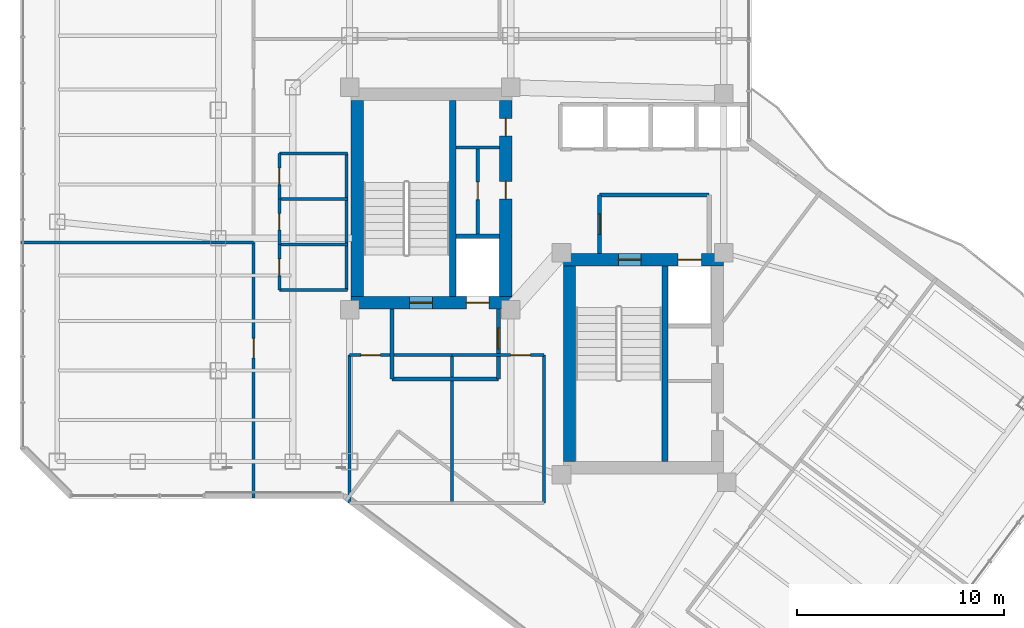
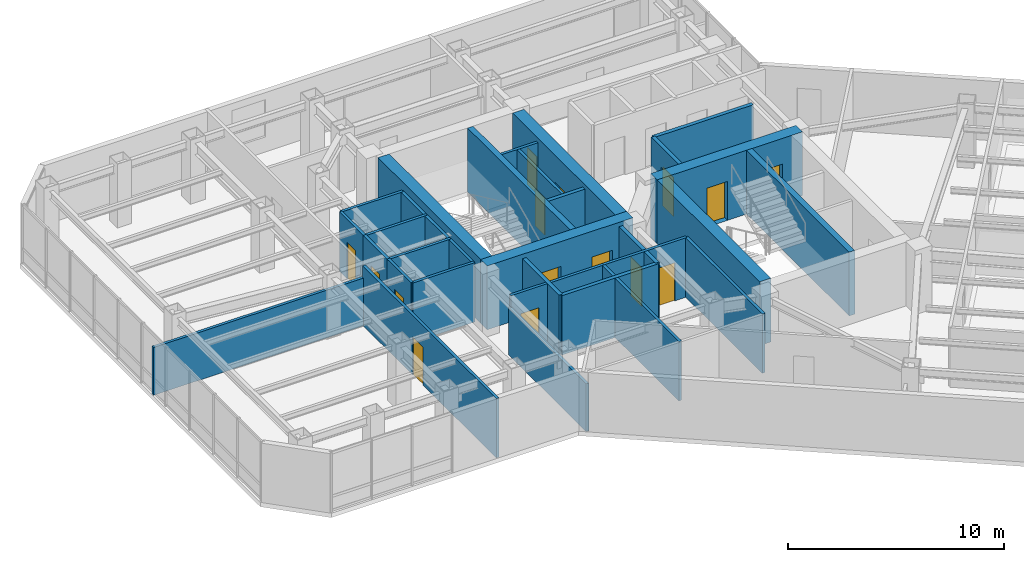
# One storey, part 22 of 27: 30 walls, 15 doors, 15 openings.
"""IFC4 building model written with IfcOpenShell, lengths in metres."""

from ifc_helpers import new_model, si_unit, direction, frame, frame_2d, origin, place, context, subcontext, project, spatial, rectangle, extrude, material, layer, layer_set, type_object, element, fill, save


model = new_model("IFC4")

# Units and contexts
model_context = context("Model", 3, precision=1e-05, world=origin(), true_north=direction((0.0, 1.0)))
body_context = subcontext(model_context, "Body", "Model", "MODEL_VIEW")
ifc_project = project(units=[si_unit("LENGTHUNIT", "METRE"), si_unit("AREAUNIT", "SQUARE_METRE"), si_unit("VOLUMEUNIT", "CUBIC_METRE"), si_unit("PLANEANGLEUNIT", "RADIAN"), si_unit("MASSUNIT", "GRAM", prefix="KILO")], contexts=[model_context])

# Site, building, storey
site_placement = place(None, origin())
site = spatial("IfcSite", under=ifc_project, at=site_placement, CompositionType="ELEMENT")
building_placement = place(site_placement, origin())
building = spatial("IfcBuilding", under=site, at=building_placement, Name="Hatsunagi Terrace Concourse", CompositionType="ELEMENT")
storey_placement = place(building_placement, frame((0.0, 0.0, 174.449951171875)))
storey = spatial("IfcBuildingStorey", under=building, at=storey_placement, Name="L46", CompositionType="ELEMENT", Elevation=174.449951171875)

# Wall, openings, doors
ifc_material_1 = material(Name="Concrete Fc48", Category="concrete")
ifc_layer_1 = layer(ifc_material_1, 0.60009765625)
ifc_layer_set_1 = layer_set([ifc_layer_1], Name="CoreShearWall_Fc48_600")
wall_type_1 = type_object("IfcWallType", Name="CoreShearWall_Fc48_600", PredefinedType="SHEAR", material=ifc_layer_set_1)
wall_1_placement = place(storey_placement, frame((25.6201171875, 32.889892578125, 0.0), z_axis=(0.0, 0.0, 1.0), x_axis=(1.0, 0.0, 0.0)))
wall_1 = element("IfcWall", 1, at=wall_1_placement, inside=storey, type_object=wall_type_1, Name="Core A Shear Wall S L46", PredefinedType="SHEAR", context=body_context, shape_type="SweptSolid", body=[
    extrude(rectangle(XDim=7.77978515625, YDim=0.60009765625, at=frame_2d((3.889892578125, 0.0))), origin(), (0.0, 0.0, 1.0), 3.60009765625),
])
opening_1_placement = place(wall_1_placement, frame((2.830078125, 0.0, 0.0)))
opening_1 = element("IfcOpeningElement", 2, at=opening_1_placement, cuts=wall_1, Name="Opening DR-110S", PredefinedType="OPENING", context=body_context, shape_type="SweptSolid", body=[
    extrude(rectangle(XDim=1.10009765625, YDim=2.199951171875, at=frame_2d((0.550048828125, 1.10009765625))), frame((0.0, 0.31005859375, 0.0), z_axis=(0.0, -1.0, 0.0), x_axis=(1.0, 0.0, 0.0)), (0.0, 0.0, 1.0), 0.6201171875),
])
opening_2_placement = place(wall_1_placement, frame((5.580078125, 0.0, 0.0)))
opening_2 = element("IfcOpeningElement", 3, at=opening_2_placement, cuts=wall_1, Name="Opening LD-01", PredefinedType="OPENING", context=body_context, shape_type="SweptSolid", body=[
    extrude(rectangle(XDim=1.10009765625, YDim=2.14990234375, at=frame_2d((0.550048828125, 1.074951171875))), frame((0.0, 0.31005859375, 0.0), z_axis=(0.0, -1.0, 0.0), x_axis=(1.0, 0.0, 0.0)), (0.0, 0.0, 1.0), 0.6201171875),
])
ifc_material_2 = material(Name="Stainless steel", Category="steel")
door_type_1 = type_object("IfcDoorType", Name="LiftLandingDoor_LD01", OperationType="SLIDING_TO_LEFT", PredefinedType="USERDEFINED", material=ifc_material_2)
door_1_placement = place(opening_2_placement, origin())
door_1 = element("IfcDoor", 4, at=door_1_placement, inside=storey, type_object=door_type_1, Name="Lift landing door FF-01 L46", ObjectType="SLIDING_LANDING_DOOR", OperationType="SLIDING_TO_LEFT", OverallHeight=2.14990234375, OverallWidth=1.10009765625, PredefinedType="USERDEFINED", context=body_context, shape_type="SweptSolid", body=[
    extrude(rectangle(XDim=1.10009765625, YDim=2.14990234375, at=frame_2d((0.550048828125, 1.074951171875))), frame((0.0, 0.02490234375, 0.0), z_axis=(0.0, -1.0, 0.0), x_axis=(1.0, 0.0, 0.0)), (0.0, 0.0, 1.0), 0.050048828125),
])
fill(opening_2, door_1)
ifc_material_3 = material(Name="Painted steel", Category="steel")
door_type_2 = type_object("IfcDoorType", Name="StairFireDoor_EI60_1100", OperationType="NOTDEFINED", PredefinedType="DOOR", material=ifc_material_3)
door_2_placement = place(opening_1_placement, origin())
door_2 = element("IfcDoor", 5, at=door_2_placement, inside=storey, type_object=door_type_2, Name="Stair ST-A Exit Door L46", OperationType="SINGLE_SWING_LEFT", OverallHeight=2.199951171875, OverallWidth=1.10009765625, PredefinedType="DOOR", context=body_context, shape_type="SweptSolid", body=[
    extrude(rectangle(XDim=1.10009765625, YDim=2.199951171875, at=frame_2d((0.550048828125, 1.10009765625))), frame((0.0, 0.02490234375, 0.0), z_axis=(0.0, -1.0, 0.0), x_axis=(1.0, 0.0, 0.0)), (0.0, 0.0, 1.0), 0.050048828125),
])
fill(opening_1, door_2)

# Wall
wall_2_placement = place(storey_placement, frame((25.919921875, 33.18994140625, 0.0), z_axis=(0.0, 0.0, 1.0), x_axis=(0.0, 1.0, 0.0)))
element("IfcWall", 6, at=wall_2_placement, inside=storey, type_object=wall_type_1, Name="Core A Shear Wall W L46", PredefinedType="SHEAR", context=body_context, shape_type="SweptSolid", body=[
    extrude(rectangle(XDim=9.47998046875, YDim=0.60009765625, at=frame_2d((4.739990234375, 0.0))), origin(), (0.0, 0.0, 1.0), 3.60009765625),
])

# Wall, openings, doors
wall_3_placement = place(storey_placement, frame((33.10009765625, 33.18994140625, 0.0), z_axis=(0.0, 0.0, 1.0), x_axis=(0.0, 1.0, 0.0)))
wall_3 = element("IfcWall", 7, at=wall_3_placement, inside=storey, type_object=wall_type_1, Name="Core A Shear Wall E L46", PredefinedType="SHEAR", context=body_context, shape_type="SweptSolid", body=[
    extrude(rectangle(XDim=9.47998046875, YDim=0.60009765625, at=frame_2d((4.739990234375, 0.0))), origin(), (0.0, 0.0, 1.0), 3.60009765625),
])
opening_3_placement = place(wall_3_placement, frame((4.7099609375, 0.0, 0.0)))
opening_3 = element("IfcOpeningElement", 8, at=opening_3_placement, cuts=wall_3, Name="Opening DR-085", PredefinedType="OPENING", context=body_context, shape_type="SweptSolid", body=[
    extrude(rectangle(XDim=0.85009765625, YDim=2.080078125, at=frame_2d((0.425048828125, 1.0400390625))), frame((0.0, 0.31005859375, 0.0), z_axis=(0.0, -1.0, 0.0), x_axis=(1.0, 0.0, 0.0)), (0.0, 0.0, 1.0), 0.6201171875),
])
opening_4_placement = place(wall_3_placement, frame((7.760009765625, 0.0, 0.0)))
opening_4 = element("IfcOpeningElement", 9, at=opening_4_placement, cuts=wall_3, Name="Opening DR-085", PredefinedType="OPENING", context=body_context, shape_type="SweptSolid", body=[
    extrude(rectangle(XDim=0.85009765625, YDim=2.080078125, at=frame_2d((0.425048828125, 1.0400390625))), frame((0.0, 0.31005859375, 0.0), z_axis=(0.0, -1.0, 0.0), x_axis=(1.0, 0.0, 0.0)), (0.0, 0.0, 1.0), 0.6201171875),
])
ifc_material_4 = material(Name="Painted steel", Category="steel")
door_type_3 = type_object("IfcDoorType", Name="RiserAccessDoor_EI60_850", OperationType="NOTDEFINED", PredefinedType="DOOR", material=ifc_material_4)
door_3_placement = place(opening_3_placement, origin())
door_3 = element("IfcDoor", 10, at=door_3_placement, inside=storey, type_object=door_type_3, Name="Core A Riser Door L46-1", OperationType="SINGLE_SWING_LEFT", OverallHeight=2.080078125, OverallWidth=0.85009765625, PredefinedType="DOOR", context=body_context, shape_type="SweptSolid", body=[
    extrude(rectangle(XDim=0.85009765625, YDim=2.080078125, at=frame_2d((0.425048828125, 1.0400390625))), frame((0.0, 0.02490234375, 0.0), z_axis=(0.0, -1.0, 0.0), x_axis=(1.0, 0.0, 0.0)), (0.0, 0.0, 1.0), 0.050048828125),
])
fill(opening_3, door_3)
door_4_placement = place(opening_4_placement, origin())
door_4 = element("IfcDoor", 11, at=door_4_placement, inside=storey, type_object=door_type_3, Name="Core A Riser Door L46-2", OperationType="SINGLE_SWING_LEFT", OverallHeight=2.080078125, OverallWidth=0.85009765625, PredefinedType="DOOR", context=body_context, shape_type="SweptSolid", body=[
    extrude(rectangle(XDim=0.85009765625, YDim=2.080078125, at=frame_2d((0.425048828125, 1.0400390625))), frame((0.0, 0.02490234375, 0.0), z_axis=(0.0, -1.0, 0.0), x_axis=(1.0, 0.0, 0.0)), (0.0, 0.0, 1.0), 0.050048828125),
])
fill(opening_4, door_4)

wall_4_placement = place(storey_placement, frame((35.889892578125, 34.969970703125, 0.0), z_axis=(0.0, 0.0, 1.0), x_axis=(1.0, 0.0, 0.0)))
wall_4 = element("IfcWall", 12, at=wall_4_placement, inside=storey, type_object=wall_type_1, Name="Core B Shear Wall N L46", PredefinedType="SHEAR", context=body_context, shape_type="SweptSolid", body=[
    extrude(rectangle(XDim=7.760009765625, YDim=0.60009765625, at=frame_2d((3.8798828125, 0.0))), origin(), (0.0, 0.0, 1.0), 3.60009765625),
])
opening_5_placement = place(wall_4_placement, frame((2.659912109375, 0.0, 0.0)))
opening_5 = element("IfcOpeningElement", 13, at=opening_5_placement, cuts=wall_4, Name="Opening DR-110S", PredefinedType="OPENING", context=body_context, shape_type="SweptSolid", body=[
    extrude(rectangle(XDim=1.10009765625, YDim=2.199951171875, at=frame_2d((0.550048828125, 1.10009765625))), frame((0.0, 0.31005859375, 0.0), z_axis=(0.0, -1.0, 0.0), x_axis=(1.0, 0.0, 0.0)), (0.0, 0.0, 1.0), 0.6201171875),
])
opening_6_placement = place(wall_4_placement, frame((5.56005859375, 0.0, 0.0)))
opening_6 = element("IfcOpeningElement", 14, at=opening_6_placement, cuts=wall_4, Name="Opening LD-02", PredefinedType="OPENING", context=body_context, shape_type="SweptSolid", body=[
    extrude(rectangle(XDim=1.1201171875, YDim=2.14990234375, at=frame_2d((0.56005859375, 1.074951171875))), frame((0.0, 0.31005859375, 0.0), z_axis=(0.0, -1.0, 0.0), x_axis=(1.0, 0.0, 0.0)), (0.0, 0.0, 1.0), 0.6201171875),
])
ifc_material_5 = material(Name="Stainless steel", Category="steel")
door_type_4 = type_object("IfcDoorType", Name="LiftLandingDoor_LD02", OperationType="SLIDING_TO_RIGHT", PredefinedType="USERDEFINED", material=ifc_material_5)
door_5_placement = place(opening_6_placement, origin())
door_5 = element("IfcDoor", 15, at=door_5_placement, inside=storey, type_object=door_type_4, Name="Lift landing door FF-02 L46", ObjectType="SLIDING_LANDING_DOOR", OperationType="SLIDING_TO_RIGHT", OverallHeight=2.14990234375, OverallWidth=1.1201171875, PredefinedType="USERDEFINED", context=body_context, shape_type="SweptSolid", body=[
    extrude(rectangle(XDim=1.1201171875, YDim=2.14990234375, at=frame_2d((0.56005859375, 1.074951171875))), frame((0.0, 0.02490234375, 0.0), z_axis=(0.0, -1.0, 0.0), x_axis=(1.0, 0.0, 0.0)), (0.0, 0.0, 1.0), 0.050048828125),
])
fill(opening_6, door_5)
door_6_placement = place(opening_5_placement, origin())
door_6 = element("IfcDoor", 16, at=door_6_placement, inside=storey, type_object=door_type_2, Name="Stair ST-B Exit Door L46", OperationType="SINGLE_SWING_RIGHT", OverallHeight=2.199951171875, OverallWidth=1.10009765625, PredefinedType="DOOR", context=body_context, shape_type="SweptSolid", body=[
    extrude(rectangle(XDim=1.10009765625, YDim=2.199951171875, at=frame_2d((0.550048828125, 1.10009765625))), frame((0.0, 0.02490234375, 0.0), z_axis=(0.0, -1.0, 0.0), x_axis=(1.0, 0.0, 0.0)), (0.0, 0.0, 1.0), 0.050048828125),
])
fill(opening_5, door_6)

# Walls
wall_5_placement = place(storey_placement, frame((36.18994140625, 25.18994140625, 0.0), z_axis=(0.0, 0.0, 1.0), x_axis=(0.0, 1.0, 0.0)))
element("IfcWall", 17, at=wall_5_placement, inside=storey, type_object=wall_type_1, Name="Core B Shear Wall W L46", PredefinedType="SHEAR", context=body_context, shape_type="SweptSolid", body=[
    extrude(rectangle(XDim=9.47998046875, YDim=0.60009765625, at=frame_2d((4.739990234375, 0.0))), origin(), (0.0, 0.0, 1.0), 3.60009765625),
])
ifc_material_6 = material(Name="Concrete Fc48", Category="concrete")
ifc_layer_2 = layer(ifc_material_6, 0.300048828125)
ifc_layer_set_2 = layer_set([ifc_layer_2], Name="CoreStairDivider_Fc48_300")
wall_type_2 = type_object("IfcWallType", Name="CoreStairDivider_Fc48_300", PredefinedType="SHEAR", material=ifc_layer_set_2)
for number, where, z_axis, x_axis, name in (
    (18, (30.5400390625, 33.18994140625, 0.0), (0.0, 0.0, 1.0), (0.0, 1.0, 0.0), "Core A Shear Wall D L46"),
    (19, (40.81005859375, 25.18994140625, 0.0), (0.0, 0.0, 1.0), (0.0, 1.0, 0.0), "Core B Shear Wall D L46"),
):
    element("IfcWall", number, at=place(storey_placement, frame(where, z_axis=z_axis, x_axis=x_axis)), inside=storey, type_object=wall_type_2, Name=name, PredefinedType="SHEAR", context=body_context, shape_type="SweptSolid", body=[
        extrude(rectangle(XDim=9.47998046875, YDim=0.300048828125, at=frame_2d((4.739990234375, 0.0))), origin(), (0.0, 0.0, 1.0), 3.60009765625),
    ])

# Wall, opening, door
ifc_material_7 = material(Name="Acoustic mineral board", Category="gypsum")
ifc_layer_3 = layer(ifc_material_7, 0.14990234375)
ifc_layer_set_3 = layer_set([ifc_layer_3], Name="PartitionWall_EI60_150")
wall_type_3 = type_object("IfcWallType", Name="PartitionWall_EI60_150", PredefinedType="PARTITIONING", material=ifc_layer_set_3)
wall_6_placement = place(storey_placement, frame((31.75, 36.179931640625, 0.0), z_axis=(0.0, 0.0, 1.0), x_axis=(0.0, 1.0, 0.0)))
wall_6 = element("IfcWall", 20, at=wall_6_placement, inside=storey, type_object=wall_type_3, Name="Interior Partition IW-L46-002", PredefinedType="PARTITIONING", context=body_context, shape_type="SweptSolid", body=[
    extrude(rectangle(XDim=4.239990234375, YDim=0.14990234375, at=frame_2d((2.1201171875, 0.0))), origin(), (0.0, 0.0, 1.0), 3.35009765625),
])
opening_7_placement = place(wall_6_placement, frame((1.695068359375, 0.0, 0.0)))
opening_7 = element("IfcOpeningElement", 21, at=opening_7_placement, cuts=wall_6, Name="Opening DR-085", PredefinedType="OPENING", context=body_context, shape_type="SweptSolid", body=[
    extrude(rectangle(XDim=0.85009765625, YDim=2.080078125, at=frame_2d((0.425048828125, 1.0400390625))), frame((0.0, 0.0849609375, 0.0), z_axis=(0.0, -1.0, 0.0), x_axis=(1.0, 0.0, 0.0)), (0.0, 0.0, 1.0), 0.169921875),
])
door_7_placement = place(opening_7_placement, origin())
door_7 = element("IfcDoor", 22, at=door_7_placement, inside=storey, type_object=door_type_3, Name="Core A Sub-Riser Door L46", OperationType="SINGLE_SWING_LEFT", OverallHeight=2.080078125, OverallWidth=0.85009765625, PredefinedType="DOOR", context=body_context, shape_type="SweptSolid", body=[
    extrude(rectangle(XDim=0.85009765625, YDim=2.080078125, at=frame_2d((0.425048828125, 1.0400390625))), frame((0.0, 0.02490234375, 0.0), z_axis=(0.0, -1.0, 0.0), x_axis=(1.0, 0.0, 0.0)), (0.0, 0.0, 1.0), 0.050048828125),
])
fill(opening_7, door_7)

# Walls
wall_7_placement = place(storey_placement, frame((30.699951171875, 40.39990234375, 0.0), z_axis=(0.0, 0.0, 1.0), x_axis=(1.0, 0.0, 0.0)))
element("IfcWall", 23, at=wall_7_placement, inside=storey, type_object=wall_type_3, Name="Interior Partition IW-L46-003", PredefinedType="PARTITIONING", context=body_context, shape_type="SweptSolid", body=[
    extrude(rectangle(XDim=2.10009765625, YDim=0.14990234375, at=frame_2d((1.050048828125, 0.0))), origin(), (0.0, 0.0, 1.0), 3.35009765625),
])
for number, where, z_axis, x_axis, name in (
    (24, (22.14990234375, 33.5, 0.0), (0.0, 0.0, 1.0), (1.0, 0.0, 0.0), "Interior Partition IW-L46-018"),
    (25, (22.14990234375, 40.10009765625, 0.0), (0.0, 0.0, 1.0), (1.0, 0.0, 0.0), "Interior Partition IW-L46-019"),
):
    element("IfcWall", number, at=place(storey_placement, frame(where, z_axis=z_axis, x_axis=x_axis)), inside=storey, type_object=wall_type_3, Name=name, PredefinedType="PARTITIONING", context=body_context, shape_type="SweptSolid", body=[
        extrude(rectangle(XDim=3.300048828125, YDim=0.14990234375, at=frame_2d((1.64990234375, 0.0))), origin(), (0.0, 0.0, 1.0), 3.35009765625),
    ])
wall_8_placement = place(storey_placement, frame((25.39990234375, 33.5, 0.0), z_axis=(0.0, 0.0, 1.0), x_axis=(0.0, 1.0, 0.0)))
element("IfcWall", 26, at=wall_8_placement, inside=storey, type_object=wall_type_3, Name="Interior Partition IW-L46-020", PredefinedType="PARTITIONING", context=body_context, shape_type="SweptSolid", body=[
    extrude(rectangle(XDim=6.60009765625, YDim=0.14990234375, at=frame_2d((3.300048828125, 0.0))), origin(), (0.0, 0.0, 1.0), 3.35009765625),
])
for number, where, z_axis, x_axis, name in (
    (27, (22.14990234375, 35.699951171875, 0.0), (0.0, 0.0, 1.0), (1.0, 0.0, 0.0), "Interior Partition IW-L46-021"),
    (28, (22.14990234375, 37.89990234375, 0.0), (0.0, 0.0, 1.0), (1.0, 0.0, 0.0), "Interior Partition IW-L46-022"),
):
    element("IfcWall", number, at=place(storey_placement, frame(where, z_axis=z_axis, x_axis=x_axis)), inside=storey, type_object=wall_type_3, Name=name, PredefinedType="PARTITIONING", context=body_context, shape_type="SweptSolid", body=[
        extrude(rectangle(XDim=3.300048828125, YDim=0.14990234375, at=frame_2d((1.64990234375, 0.0))), origin(), (0.0, 0.0, 1.0), 3.35009765625),
    ])

# Wall, opening, door
wall_9_placement = place(storey_placement, frame((22.14990234375, 33.5, 0.0), z_axis=(0.0, 0.0, 1.0), x_axis=(0.0, 1.0, 0.0)))
wall_9 = element("IfcWall", 29, at=wall_9_placement, inside=storey, type_object=wall_type_3, Name="Interior Partition IW-L46-023", PredefinedType="PARTITIONING", context=body_context, shape_type="SweptSolid", body=[
    extrude(rectangle(XDim=2.199951171875, YDim=0.14990234375, at=frame_2d((1.10009765625, 0.0))), origin(), (0.0, 0.0, 1.0), 3.35009765625),
])
opening_8_placement = place(wall_9_placement, frame((0.699951171875, 0.0, 0.0)))
opening_8 = element("IfcOpeningElement", 30, at=opening_8_placement, cuts=wall_9, Name="Opening DR-080", PredefinedType="OPENING", context=body_context, shape_type="SweptSolid", body=[
    extrude(rectangle(XDim=0.800048828125, YDim=2.06005859375, at=frame_2d((0.39990234375, 1.030029296875))), frame((0.0, 0.0849609375, 0.0), z_axis=(0.0, -1.0, 0.0), x_axis=(1.0, 0.0, 0.0)), (0.0, 0.0, 1.0), 0.169921875),
])
ifc_material_8 = material(Name="Hardwood timber", Category="wood")
door_type_5 = type_object("IfcDoorType", Name="BathroomDoor_800", OperationType="NOTDEFINED", PredefinedType="DOOR", material=ifc_material_8)
door_8_placement = place(opening_8_placement, origin())
door_8 = element("IfcDoor", 31, at=door_8_placement, inside=storey, type_object=door_type_5, Name="Accessible WC Door L46", OperationType="SINGLE_SWING_RIGHT", OverallHeight=2.06005859375, OverallWidth=0.800048828125, PredefinedType="DOOR", context=body_context, shape_type="SweptSolid", body=[
    extrude(rectangle(XDim=0.800048828125, YDim=2.06005859375, at=frame_2d((0.39990234375, 1.030029296875))), frame((0.0, 0.02490234375, 0.0), z_axis=(0.0, -1.0, 0.0), x_axis=(1.0, 0.0, 0.0)), (0.0, 0.0, 1.0), 0.050048828125),
])
fill(opening_8, door_8)

wall_10_placement = place(storey_placement, frame((22.14990234375, 35.699951171875, 0.0), z_axis=(0.0, 0.0, 1.0), x_axis=(0.0, 1.0, 0.0)))
wall_10 = element("IfcWall", 32, at=wall_10_placement, inside=storey, type_object=wall_type_3, Name="Interior Partition IW-L46-024", PredefinedType="PARTITIONING", context=body_context, shape_type="SweptSolid", body=[
    extrude(rectangle(XDim=2.199951171875, YDim=0.14990234375, at=frame_2d((1.10009765625, 0.0))), origin(), (0.0, 0.0, 1.0), 3.35009765625),
])
opening_9_placement = place(wall_10_placement, frame((0.699951171875, 0.0, 0.0)))
opening_9 = element("IfcOpeningElement", 33, at=opening_9_placement, cuts=wall_10, Name="Opening DR-080", PredefinedType="OPENING", context=body_context, shape_type="SweptSolid", body=[
    extrude(rectangle(XDim=0.800048828125, YDim=2.06005859375, at=frame_2d((0.39990234375, 1.030029296875))), frame((0.0, 0.0849609375, 0.0), z_axis=(0.0, -1.0, 0.0), x_axis=(1.0, 0.0, 0.0)), (0.0, 0.0, 1.0), 0.169921875),
])
door_9_placement = place(opening_9_placement, origin())
door_9 = element("IfcDoor", 34, at=door_9_placement, inside=storey, type_object=door_type_5, Name="Female Restroom Door L46", OperationType="SINGLE_SWING_RIGHT", OverallHeight=2.06005859375, OverallWidth=0.800048828125, PredefinedType="DOOR", context=body_context, shape_type="SweptSolid", body=[
    extrude(rectangle(XDim=0.800048828125, YDim=2.06005859375, at=frame_2d((0.39990234375, 1.030029296875))), frame((0.0, 0.02490234375, 0.0), z_axis=(0.0, -1.0, 0.0), x_axis=(1.0, 0.0, 0.0)), (0.0, 0.0, 1.0), 0.050048828125),
])
fill(opening_9, door_9)

wall_11_placement = place(storey_placement, frame((22.14990234375, 37.89990234375, 0.0), z_axis=(0.0, 0.0, 1.0), x_axis=(0.0, 1.0, 0.0)))
wall_11 = element("IfcWall", 35, at=wall_11_placement, inside=storey, type_object=wall_type_3, Name="Interior Partition IW-L46-025", PredefinedType="PARTITIONING", context=body_context, shape_type="SweptSolid", body=[
    extrude(rectangle(XDim=2.2001953125, YDim=0.14990234375, at=frame_2d((1.10009765625, 0.0))), origin(), (0.0, 0.0, 1.0), 3.35009765625),
])
opening_10_placement = place(wall_11_placement, frame((0.699951171875, 0.0, 0.0)))
opening_10 = element("IfcOpeningElement", 36, at=opening_10_placement, cuts=wall_11, Name="Opening DR-080", PredefinedType="OPENING", context=body_context, shape_type="SweptSolid", body=[
    extrude(rectangle(XDim=0.800048828125, YDim=2.06005859375, at=frame_2d((0.39990234375, 1.030029296875))), frame((0.0, 0.0849609375, 0.0), z_axis=(0.0, -1.0, 0.0), x_axis=(1.0, 0.0, 0.0)), (0.0, 0.0, 1.0), 0.169921875),
])
door_10_placement = place(opening_10_placement, origin())
door_10 = element("IfcDoor", 37, at=door_10_placement, inside=storey, type_object=door_type_5, Name="Male Restroom Door L46", OperationType="SINGLE_SWING_RIGHT", OverallHeight=2.06005859375, OverallWidth=0.800048828125, PredefinedType="DOOR", context=body_context, shape_type="SweptSolid", body=[
    extrude(rectangle(XDim=0.800048828125, YDim=2.06005859375, at=frame_2d((0.39990234375, 1.030029296875))), frame((0.0, 0.02490234375, 0.0), z_axis=(0.0, -1.0, 0.0), x_axis=(1.0, 0.0, 0.0)), (0.0, 0.0, 1.0), 0.050048828125),
])
fill(opening_10, door_10)

wall_12_placement = place(storey_placement, frame((25.550048828125, 30.35009765625, 0.0), z_axis=(0.0, 0.0, 1.0), x_axis=(1.0, 0.0, 0.0)))
wall_12 = element("IfcWall", 38, at=wall_12_placement, inside=storey, type_object=wall_type_3, Name="Interior Partition IW-L46-027", PredefinedType="PARTITIONING", context=body_context, shape_type="SweptSolid", body=[
    extrude(rectangle(XDim=4.949951171875, YDim=0.14990234375, at=frame_2d((2.47509765625, 0.0))), origin(), (0.0, 0.0, 1.0), 3.35009765625),
])
opening_11_placement = place(wall_12_placement, frame((0.5419921875, 0.0, 0.0)))
opening_11 = element("IfcOpeningElement", 39, at=opening_11_placement, cuts=wall_12, Name="Opening DR-095", PredefinedType="OPENING", context=body_context, shape_type="SweptSolid", body=[
    extrude(rectangle(XDim=0.949951171875, YDim=2.14990234375, at=frame_2d((0.47509765625, 1.074951171875))), frame((0.0, 0.0849609375, 0.0), z_axis=(0.0, -1.0, 0.0), x_axis=(1.0, 0.0, 0.0)), (0.0, 0.0, 1.0), 0.169921875),
])
ifc_material_9 = material(Name="Hardwood timber", Category="wood")
door_type_6 = type_object("IfcDoorType", Name="InteriorSuiteDoor_EI30_950", OperationType="NOTDEFINED", PredefinedType="DOOR", material=ifc_material_9)
door_11_placement = place(opening_11_placement, origin())
door_11 = element("IfcDoor", 40, at=door_11_placement, inside=storey, type_object=door_type_6, Name="Executive Office L46-RECL1 Door", OperationType="SINGLE_SWING_RIGHT", OverallHeight=2.14990234375, OverallWidth=0.949951171875, PredefinedType="DOOR", context=body_context, shape_type="SweptSolid", body=[
    extrude(rectangle(XDim=0.949951171875, YDim=2.14990234375, at=frame_2d((0.47509765625, 1.074951171875))), frame((0.0, 0.02490234375, 0.0), z_axis=(0.0, -1.0, 0.0), x_axis=(1.0, 0.0, 0.0)), (0.0, 0.0, 1.0), 0.050048828125),
])
fill(opening_11, door_11)

# Walls
wall_13_placement = place(storey_placement, frame((25.550048828125, 23.199951171875, 0.0), z_axis=(0.0, 0.0, 1.0), x_axis=(0.0, 1.0, 0.0)))
element("IfcWall", 41, at=wall_13_placement, inside=storey, type_object=wall_type_3, Name="Interior Partition IW-L46-028", PredefinedType="PARTITIONING", context=body_context, shape_type="SweptSolid", body=[
    extrude(rectangle(XDim=7.150146484375, YDim=0.14990234375, at=frame_2d((3.5751953125, 0.0))), origin(), (0.0, 0.0, 1.0), 2.695068359375),
])
wall_14_placement = place(storey_placement, frame((30.5, 23.199951171875, 0.0), z_axis=(0.0, 0.0, 1.0), x_axis=(0.0, 1.0, 0.0)))
element("IfcWall", 42, at=wall_14_placement, inside=storey, type_object=wall_type_3, Name="Interior Partition IW-L46-029", PredefinedType="PARTITIONING", context=body_context, shape_type="SweptSolid", body=[
    extrude(rectangle(XDim=7.150146484375, YDim=0.14990234375, at=frame_2d((3.5751953125, 0.0))), origin(), (0.0, 0.0, 1.0), 3.35009765625),
])

# Wall, opening, door
wall_15_placement = place(storey_placement, frame((30.5, 30.35009765625, 0.0), z_axis=(0.0, 0.0, 1.0), x_axis=(1.0, 0.0, 0.0)))
wall_15 = element("IfcWall", 43, at=wall_15_placement, inside=storey, type_object=wall_type_3, Name="Interior Partition IW-L46-031", PredefinedType="PARTITIONING", context=body_context, shape_type="SweptSolid", body=[
    extrude(rectangle(XDim=4.449951171875, YDim=0.14990234375, at=frame_2d((2.22509765625, 0.0))), origin(), (0.0, 0.0, 1.0), 3.35009765625),
])
opening_12_placement = place(wall_15_placement, frame((2.845947265625, 0.0, 0.0)))
opening_12 = element("IfcOpeningElement", 44, at=opening_12_placement, cuts=wall_15, Name="Opening DR-095", PredefinedType="OPENING", context=body_context, shape_type="SweptSolid", body=[
    extrude(rectangle(XDim=0.949951171875, YDim=2.14990234375, at=frame_2d((0.47509765625, 1.074951171875))), frame((0.0, 0.0849609375, 0.0), z_axis=(0.0, -1.0, 0.0), x_axis=(1.0, 0.0, 0.0)), (0.0, 0.0, 1.0), 0.169921875),
])
door_12_placement = place(opening_12_placement, origin())
door_12 = element("IfcDoor", 45, at=door_12_placement, inside=storey, type_object=door_type_6, Name="Client Consultation Room L46-RECL2 Door", OperationType="SINGLE_SWING_RIGHT", OverallHeight=2.14990234375, OverallWidth=0.949951171875, PredefinedType="DOOR", context=body_context, shape_type="SweptSolid", body=[
    extrude(rectangle(XDim=0.949951171875, YDim=2.14990234375, at=frame_2d((0.47509765625, 1.074951171875))), frame((0.0, 0.02490234375, 0.0), z_axis=(0.0, -1.0, 0.0), x_axis=(1.0, 0.0, 0.0)), (0.0, 0.0, 1.0), 0.050048828125),
])
fill(opening_12, door_12)

# Walls
wall_16_placement = place(storey_placement, frame((34.949951171875, 23.199951171875, 0.0), z_axis=(0.0, 0.0, 1.0), x_axis=(0.0, 1.0, 0.0)))
element("IfcWall", 46, at=wall_16_placement, inside=storey, type_object=wall_type_3, Name="Interior Partition IW-L46-032", PredefinedType="PARTITIONING", context=body_context, shape_type="SweptSolid", body=[
    extrude(rectangle(XDim=7.150146484375, YDim=0.14990234375, at=frame_2d((3.5751953125, 0.0))), origin(), (0.0, 0.0, 1.0), 3.35009765625),
])
wall_17_placement = place(storey_placement, frame((9.639892578125, 35.800048828125, 0.0), z_axis=(0.0, 0.0, 1.0), x_axis=(1.0, 0.0, 0.0)))
element("IfcWall", 47, at=wall_17_placement, inside=storey, type_object=wall_type_3, Name="Interior Partition IW-L46-033", PredefinedType="PARTITIONING", context=body_context, shape_type="SweptSolid", body=[
    extrude(rectangle(XDim=11.260009765625, YDim=0.14990234375, at=frame_2d((5.6298828125, 0.0))), origin(), (0.0, 0.0, 1.0), 2.695068359375),
])

# Wall, opening, door
wall_18_placement = place(storey_placement, frame((20.89990234375, 23.43994140625, 0.0), z_axis=(0.0, 0.0, 1.0), x_axis=(0.0, 1.0, 0.0)))
wall_18 = element("IfcWall", 48, at=wall_18_placement, inside=storey, type_object=wall_type_3, Name="Interior Partition IW-L46-034", PredefinedType="PARTITIONING", context=body_context, shape_type="SweptSolid", body=[
    extrude(rectangle(XDim=12.360107421875, YDim=0.14990234375, at=frame_2d((6.18017578125, 0.0))), origin(), (0.0, 0.0, 1.0), 3.35009765625),
])
opening_13_placement = place(wall_18_placement, frame((6.77001953125, 0.0, 0.0)))
opening_13 = element("IfcOpeningElement", 49, at=opening_13_placement, cuts=wall_18, Name="Opening DR-095", PredefinedType="OPENING", context=body_context, shape_type="SweptSolid", body=[
    extrude(rectangle(XDim=0.949951171875, YDim=2.14990234375, at=frame_2d((0.47509765625, 1.074951171875))), frame((0.0, 0.0849609375, 0.0), z_axis=(0.0, -1.0, 0.0), x_axis=(1.0, 0.0, 0.0)), (0.0, 0.0, 1.0), 0.169921875),
])
door_13_placement = place(opening_13_placement, origin())
door_13 = element("IfcDoor", 50, at=door_13_placement, inside=storey, type_object=door_type_6, Name="Open Plan Office L46-OW1 Door", OperationType="SINGLE_SWING_RIGHT", OverallHeight=2.14990234375, OverallWidth=0.949951171875, PredefinedType="DOOR", context=body_context, shape_type="SweptSolid", body=[
    extrude(rectangle(XDim=0.949951171875, YDim=2.14990234375, at=frame_2d((0.47509765625, 1.074951171875))), frame((0.0, 0.02490234375, 0.0), z_axis=(0.0, -1.0, 0.0), x_axis=(1.0, 0.0, 0.0)), (0.0, 0.0, 1.0), 0.050048828125),
])
fill(opening_13, door_13)

# Walls
ifc_material_10 = material(Name="Acoustic mineral board", Category="gypsum")
ifc_layer_4 = layer(ifc_material_10, 0.199951171875)
ifc_layer_set_4 = layer_set([ifc_layer_4], Name="ShaftWall_EI120_200")
wall_type_4 = type_object("IfcWallType", Name="ShaftWall_EI120_200", PredefinedType="STANDARD", material=ifc_layer_set_4)
wall_19_placement = place(storey_placement, frame((30.699951171875, 36.10009765625, 0.0), z_axis=(0.0, 0.0, 1.0), x_axis=(1.0, 0.0, 0.0)))
element("IfcWall", 51, at=wall_19_placement, inside=storey, type_object=wall_type_4, Name="Interior Partition IW-L46-001", PredefinedType="STANDARD", context=body_context, shape_type="SweptSolid", body=[
    extrude(rectangle(XDim=2.10009765625, YDim=0.199951171875, at=frame_2d((1.050048828125, 0.0))), origin(), (0.0, 0.0, 1.0), 3.35009765625),
])
wall_20_placement = place(storey_placement, frame((27.60009765625, 29.199951171875, 0.0), z_axis=(0.0, 0.0, 1.0), x_axis=(1.0, 0.0, 0.0)))
element("IfcWall", 52, at=wall_20_placement, inside=storey, type_object=wall_type_4, Name="Interior Partition IW-L46-006", PredefinedType="STANDARD", context=body_context, shape_type="SweptSolid", body=[
    extrude(rectangle(XDim=5.14990234375, YDim=0.199951171875, at=frame_2d((2.574951171875, 0.0))), origin(), (0.0, 0.0, 1.0), 3.35009765625),
])
wall_21_placement = place(storey_placement, frame((27.60009765625, 29.199951171875, 0.0), z_axis=(0.0, 0.0, 1.0), x_axis=(0.0, 1.0, 0.0)))
element("IfcWall", 53, at=wall_21_placement, inside=storey, type_object=wall_type_4, Name="Interior Partition IW-L46-007", PredefinedType="STANDARD", context=body_context, shape_type="SweptSolid", body=[
    extrude(rectangle(XDim=3.39013671875, YDim=0.199951171875, at=frame_2d((1.695068359375, 0.0))), origin(), (0.0, 0.0, 1.0), 3.35009765625),
])

# Wall, opening, door
wall_22_placement = place(storey_placement, frame((32.75, 29.199951171875, 0.0), z_axis=(0.0, 0.0, 1.0), x_axis=(0.0, 1.0, 0.0)))
wall_22 = element("IfcWall", 54, at=wall_22_placement, inside=storey, type_object=wall_type_4, Name="Interior Partition IW-L46-008", PredefinedType="STANDARD", context=body_context, shape_type="SweptSolid", body=[
    extrude(rectangle(XDim=3.39013671875, YDim=0.199951171875, at=frame_2d((1.695068359375, 0.0))), origin(), (0.0, 0.0, 1.0), 3.35009765625),
])
opening_14_placement = place(wall_22_placement, frame((1.449951171875, 0.0, 0.0)))
opening_14 = element("IfcOpeningElement", 55, at=opening_14_placement, cuts=wall_22, Name="Opening DR-100F", PredefinedType="OPENING", context=body_context, shape_type="SweptSolid", body=[
    extrude(rectangle(XDim=1.0, YDim=2.199951171875, at=frame_2d((0.5, 1.10009765625))), frame((0.0, 0.10986328125, 0.0), z_axis=(0.0, -1.0, 0.0), x_axis=(1.0, 0.0, 0.0)), (0.0, 0.0, 1.0), 0.219970703125),
])
ifc_material_11 = material(Name="Painted steel", Category="steel")
door_type_7 = type_object("IfcDoorType", Name="FireDoor_EI60_1000", OperationType="NOTDEFINED", PredefinedType="DOOR", material=ifc_material_11)
door_14_placement = place(opening_14_placement, origin())
door_14 = element("IfcDoor", 56, at=door_14_placement, inside=storey, type_object=door_type_7, Name="Firefighting Lobby A Door L46", OperationType="SINGLE_SWING_RIGHT", OverallHeight=2.199951171875, OverallWidth=1.0, PredefinedType="DOOR", context=body_context, shape_type="SweptSolid", body=[
    extrude(rectangle(XDim=1.0, YDim=2.199951171875, at=frame_2d((0.5, 1.10009765625))), frame((0.0, 0.02490234375, 0.0), z_axis=(0.0, -1.0, 0.0), x_axis=(1.0, 0.0, 0.0)), (0.0, 0.0, 1.0), 0.050048828125),
])
fill(opening_14, door_14)

# Wall
wall_23_placement = place(storey_placement, frame((37.64990234375, 38.10009765625, 0.0), z_axis=(0.0, 0.0, 1.0), x_axis=(1.0, 0.0, 0.0)))
element("IfcWall", 57, at=wall_23_placement, inside=storey, type_object=wall_type_4, Name="Interior Partition IW-L46-009", PredefinedType="STANDARD", context=body_context, shape_type="SweptSolid", body=[
    extrude(rectangle(XDim=5.300048828125, YDim=0.199951171875, at=frame_2d((2.64990234375, 0.0))), origin(), (0.0, 0.0, 1.0), 3.35009765625),
])

# Wall, opening, door
wall_24_placement = place(storey_placement, frame((37.64990234375, 35.27001953125, 0.0), z_axis=(0.0, 0.0, 1.0), x_axis=(0.0, 1.0, 0.0)))
wall_24 = element("IfcWall", 58, at=wall_24_placement, inside=storey, type_object=wall_type_4, Name="Interior Partition IW-L46-011", PredefinedType="STANDARD", context=body_context, shape_type="SweptSolid", body=[
    extrude(rectangle(XDim=2.830078125, YDim=0.199951171875, at=frame_2d((1.4150390625, 0.0))), origin(), (0.0, 0.0, 1.0), 3.35009765625),
])
opening_15_placement = place(wall_24_placement, frame((0.9150390625, 0.0, 0.0)))
opening_15 = element("IfcOpeningElement", 59, at=opening_15_placement, cuts=wall_24, Name="Opening DR-100F", PredefinedType="OPENING", context=body_context, shape_type="SweptSolid", body=[
    extrude(rectangle(XDim=1.0, YDim=2.199951171875, at=frame_2d((0.5, 1.10009765625))), frame((0.0, 0.10986328125, 0.0), z_axis=(0.0, -1.0, 0.0), x_axis=(1.0, 0.0, 0.0)), (0.0, 0.0, 1.0), 0.219970703125),
])
door_15_placement = place(opening_15_placement, origin())
door_15 = element("IfcDoor", 60, at=door_15_placement, inside=storey, type_object=door_type_7, Name="Firefighting Lobby B Door L46", OperationType="SINGLE_SWING_RIGHT", OverallHeight=2.199951171875, OverallWidth=1.0, PredefinedType="DOOR", context=body_context, shape_type="SweptSolid", body=[
    extrude(rectangle(XDim=1.0, YDim=2.199951171875, at=frame_2d((0.5, 1.10009765625))), frame((0.0, 0.02490234375, 0.0), z_axis=(0.0, -1.0, 0.0), x_axis=(1.0, 0.0, 0.0)), (0.0, 0.0, 1.0), 0.050048828125),
])
fill(opening_15, door_15)

save(model, "model.ifc")
